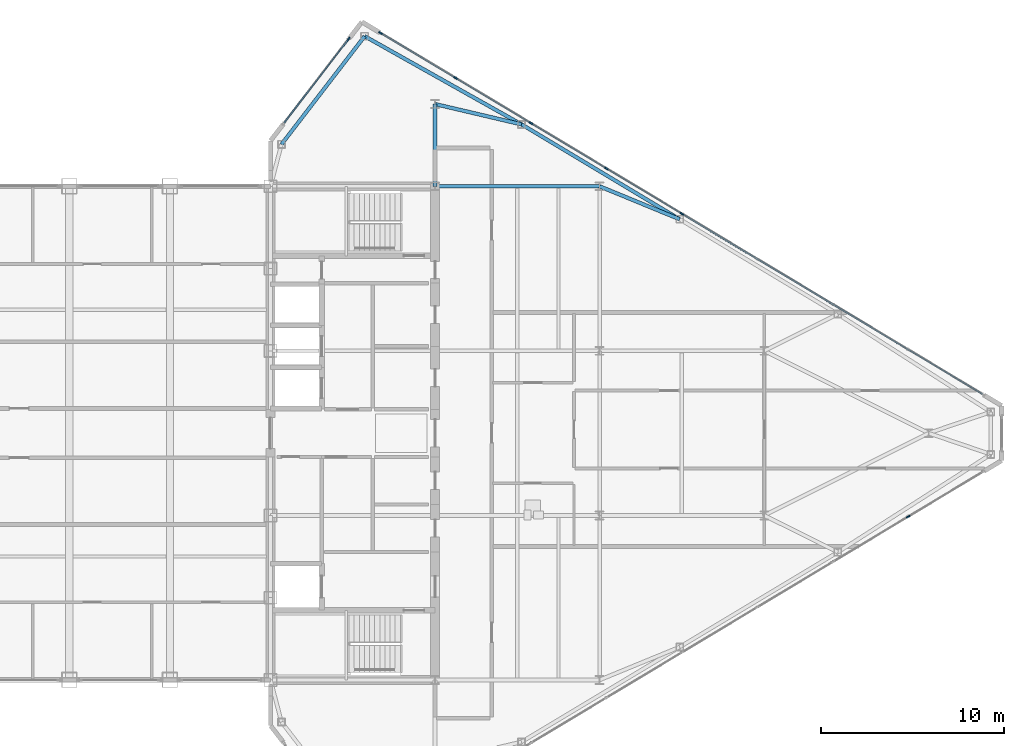
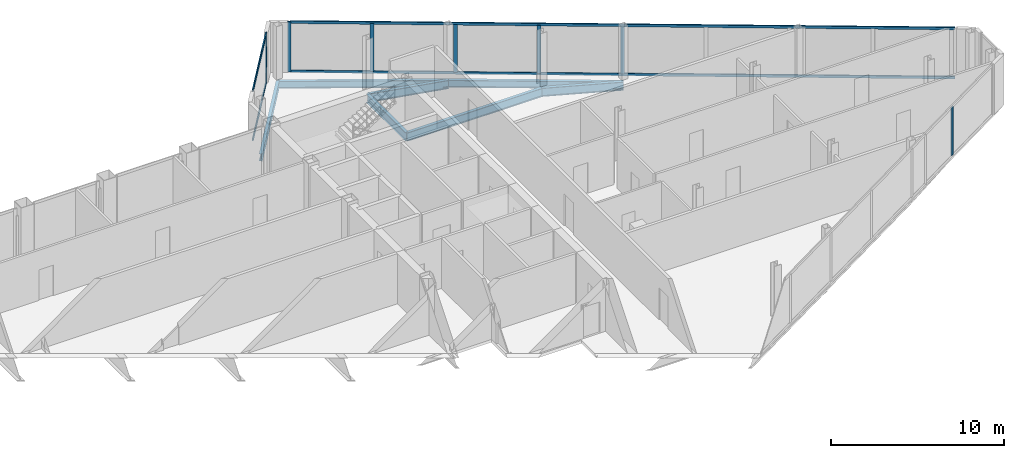
# One storey, part 17 of 29: 11 members, 7 beams, 3 elements without a shape of their own.
"""IFC4 building model written with IfcOpenShell, lengths in metres."""

from ifc_helpers import new_model, si_unit, direction, frame, origin, origin_2d, place, context, subcontext, project, spatial, rectangle, i_section, extrude, source, transform, mapped, material, layer, layer_set, material_profile, profile_set, type_object, type_shapes, element, aggregate, save


model = new_model("IFC4")

# Units and contexts
model_context = context("Model", 3, precision=1e-05, world=origin(), true_north=direction((0.0, 1.0)))
body_context = subcontext(model_context, "Body", "Model", "MODEL_VIEW")
ifc_project = project(units=[si_unit("LENGTHUNIT", "METRE"), si_unit("AREAUNIT", "SQUARE_METRE"), si_unit("VOLUMEUNIT", "CUBIC_METRE"), si_unit("PLANEANGLEUNIT", "RADIAN"), si_unit("MASSUNIT", "GRAM", prefix="KILO")], contexts=[model_context])

# Site, building, storey
site_placement = place(None, origin())
site = spatial("IfcSite", under=ifc_project, at=site_placement, CompositionType="ELEMENT")
building_placement = place(site_placement, origin())
building = spatial("IfcBuilding", under=site, at=building_placement, Name="Seokmaru Belvedere", CompositionType="ELEMENT")
storey_placement = place(building_placement, frame((0.0, 0.0, 243.14990234375)))
storey = spatial("IfcBuildingStorey", under=building, at=storey_placement, Name="L64", CompositionType="ELEMENT", Elevation=243.14990234375)

# Beams
ifc_material_1 = material(Name="Steel SM355 (355 MPa)", Category="steel")
ifc_material_profile_1 = material_profile(ifc_material_1, i_section(OverallWidth=0.199951171875, OverallDepth=0.60009765625, WebThickness=0.010986328125, FlangeThickness=0.01708984375, at=origin_2d()), Name="H-600x200x11x17")
ifc_profile_set_1 = profile_set([ifc_material_profile_1], Name="Steel SM355 (355 MPa)")
beam_type_1 = type_object("IfcBeamType", Name="Primary Floor Girder H-600", PredefinedType="BEAM", material=ifc_profile_set_1)
shared_shape_1 = source(origin(), body_context, "Body", "SweptSolid", [
    extrude(i_section(OverallWidth=0.199951171875, OverallDepth=0.60009765625, WebThickness=0.010986328125, FlangeThickness=0.01708984375, at=origin_2d()), origin(), (0.0, 0.0, 1.0), 9.0),
])
beam_1_placement = place(storey_placement, frame((36.5, 13.5, -0.52001953125), z_axis=(1.0, 0.0, 0.0), x_axis=(0.0, 1.0, 0.0)))
element("IfcBeam", 1, at=beam_1_placement, inside=storey, type_object=beam_type_1, Name="L64 E Wing Primary Girder 4", PredefinedType="BEAM", context=body_context, shape_type="MappedRepresentation", body=[
    mapped(shared_shape_1, transform((0.0, 0.0, 0.0), scale=1.0)),
])
shared_shape_2 = source(origin(), body_context, "Body", "SweptSolid", [
    extrude(i_section(OverallWidth=0.199951171875, OverallDepth=0.60009765625, WebThickness=0.010986328125, FlangeThickness=0.01708984375, at=origin_2d()), origin(), (0.0, 0.0, 1.0), 4.5),
])
beam_2_placement = place(storey_placement, frame((36.5, 13.5, -0.52001953125), z_axis=(0.0, 1.0, 0.0), x_axis=(-1.0, 0.0, 0.0)))
element("IfcBeam", 2, at=beam_2_placement, inside=storey, type_object=beam_type_1, Name="L64 E Core Shoulder Girder N", PredefinedType="BEAM", context=body_context, shape_type="MappedRepresentation", body=[
    mapped(shared_shape_2, transform((0.0, 0.0, 0.0), scale=1.0)),
])
ifc_material_profile_2 = material_profile(ifc_material_1, i_section(OverallWidth=0.199951171875, OverallDepth=0.5, WebThickness=0.010009765625, FlangeThickness=0.01611328125, at=origin_2d()), Name="H-500x200x10x16")
ifc_profile_set_2 = profile_set([ifc_material_profile_2], Name="Steel SM355 (355 MPa)")
beam_type_2 = type_object("IfcBeamType", Name="Perimeter Spandrel Beam H-500", PredefinedType="SPANDREL", material=ifc_profile_set_2)
shared_shape_3 = source(origin(), body_context, "Body", "SweptSolid", [
    extrude(i_section(OverallWidth=0.199951171875, OverallDepth=0.5, WebThickness=0.010009765625, FlangeThickness=0.01611328125, at=origin_2d()), origin(), (0.0, 0.0, 1.0), 9.842041015625),
])
beam_3_placement = place(storey_placement, frame((32.649658203125, 21.71044921875, -0.469970703125), z_axis=(0.871782151818, -0.489893743349, 0.0), x_axis=(0.489893743349, 0.871782151818, 0.0)))
element("IfcBeam", 3, at=beam_3_placement, inside=storey, type_object=beam_type_2, Name="L64 E Faceted Flank Spandrel N-1", PredefinedType="SPANDREL", context=body_context, shape_type="MappedRepresentation", body=[
    mapped(shared_shape_3, transform((0.0, 0.0, 0.0), scale=1.0)),
])
shared_shape_4 = source(origin(), body_context, "Body", "SweptSolid", [
    extrude(i_section(OverallWidth=0.199951171875, OverallDepth=0.5, WebThickness=0.010009765625, FlangeThickness=0.01611328125, at=origin_2d()), origin(), (0.0, 0.0, 1.0), 10.087646484375),
])
beam_4_placement = place(storey_placement, frame((41.229736328125, 16.888916015625, -0.469970703125), z_axis=(0.857499332045, -0.514485078056, 0.0), x_axis=(0.514485078056, 0.857499332045, 0.0)))
element("IfcBeam", 4, at=beam_4_placement, inside=storey, type_object=beam_type_2, Name="L64 E Faceted Flank Spandrel N-2", PredefinedType="SPANDREL", context=body_context, shape_type="MappedRepresentation", body=[
    mapped(shared_shape_4, transform((0.0, 0.0, 0.0), scale=1.0)),
])
shared_shape_5 = source(origin(), body_context, "Body", "SweptSolid", [
    extrude(i_section(OverallWidth=0.199951171875, OverallDepth=0.5, WebThickness=0.010009765625, FlangeThickness=0.01611328125, at=origin_2d()), origin(), (0.0, 0.0, 1.0), 7.4619140625),
])
type_shapes(beam_type_2, [shared_shape_3, shared_shape_4, shared_shape_5])
beam_5_placement = place(storey_placement, frame((32.649658203125, 21.71044921875, -0.469970703125), z_axis=(-0.609702854945, -0.792630070507, 0.0), x_axis=(0.792630070507, -0.609702854945, 0.0)))
element("IfcBeam", 5, at=beam_5_placement, inside=storey, type_object=beam_type_2, Name="L64 E Shoulder Chamfer Spandrel N", PredefinedType="SPANDREL", context=body_context, shape_type="MappedRepresentation", body=[
    mapped(shared_shape_5, transform((0.0, 0.0, 0.0), scale=1.0)),
])
shared_shape_6 = source(origin(), body_context, "Body", "SweptSolid", [
    extrude(i_section(OverallWidth=0.199951171875, OverallDepth=0.60009765625, WebThickness=0.010986328125, FlangeThickness=0.01708984375, at=origin_2d()), origin(), (0.0, 0.0, 1.0), 4.8583984375),
])
beam_6_placement = place(storey_placement, frame((41.229736328125, 16.888916015625, -0.52001953125), z_axis=(-0.97349948295, 0.228689214211, 0.0), x_axis=(-0.228689214211, -0.97349948295, 0.0)))
element("IfcBeam", 6, at=beam_6_placement, inside=storey, type_object=beam_type_1, Name="L64 E Flank Radial Floor Girder N-1", PredefinedType="BEAM", context=body_context, shape_type="MappedRepresentation", body=[
    mapped(shared_shape_6, transform((0.0, 0.0, 0.0), scale=1.0)),
])
shared_shape_7 = source(origin(), body_context, "Body", "SweptSolid", [
    extrude(i_section(OverallWidth=0.199951171875, OverallDepth=0.60009765625, WebThickness=0.010986328125, FlangeThickness=0.01708984375, at=origin_2d()), origin(), (0.0, 0.0, 1.0), 4.73583984375),
])
type_shapes(beam_type_1, [shared_shape_1, shared_shape_2, shared_shape_6, shared_shape_7])
beam_7_placement = place(storey_placement, frame((49.8798828125, 11.698974609375, -0.52001953125), z_axis=(-0.924860562953, 0.380306375301, 0.0), x_axis=(-0.380306375301, -0.924860562953, 0.0)))
element("IfcBeam", 7, at=beam_7_placement, inside=storey, type_object=beam_type_1, Name="L64 E Flank Radial Floor Girder N-2", PredefinedType="BEAM", context=body_context, shape_type="MappedRepresentation", body=[
    mapped(shared_shape_7, transform((0.0, 0.0, 0.0), scale=1.0)),
])

# Curtain wall, members
ifc_material_2 = material(Name="Bronze Triple Insulating Glass", Category="glass")
ifc_layer = layer(ifc_material_2, 0.219970703125)
ifc_layer_set = layer_set([ifc_layer], Name="Bronze Triple Insulating Glass")
curtain_wall_type = type_object("IfcCurtainWallType", Name="Sky-Gate Bridge Panorama Curtain Wall System CW-6", PredefinedType="NOTDEFINED", material=ifc_layer_set)
curtain_wall_1_placement = place(storey_placement, origin())
curtain_wall_1 = element("IfcCurtainWall", 8, at=curtain_wall_1_placement, inside=storey, type_object=curtain_wall_type, Name="L64 Curtain Wall EF4", PredefinedType="NOTDEFINED")
ifc_material_3 = material(Name="Anodised Bronze Aluminium", Category="aluminium")
ifc_material_profile_3 = material_profile(ifc_material_3, rectangle(XDim=0.074951171875, YDim=0.179931640625, at=origin_2d()), Name="CW-T-75x180")
ifc_profile_set_3 = profile_set([ifc_material_profile_3], Name="Anodised Bronze Aluminium")
member_type_1 = type_object("IfcMemberType", Name="Bronze Unitised Transom 75x180", PredefinedType="USERDEFINED", material=ifc_profile_set_3)
shared_shape_8 = source(origin(), body_context, "Body", "SweptSolid", [
    extrude(rectangle(XDim=0.074951171875, YDim=0.179931640625, at=origin_2d()), origin(), (0.0, 0.0, 1.0), 5.74072265625),
])
member_1_placement = place(storey_placement, frame((31.75, 21.525146484375, 0.03759765625), z_axis=(-0.609686097287, -0.792642960465, 0.0), x_axis=(0.792642960465, -0.609686097287, 0.0)))
member_1 = element("IfcMember", 9, at=member_1_placement, type_object=member_type_1, Name="CW:L64:EF4 Continuous Transom 1", ObjectType="TRANSOM", PredefinedType="USERDEFINED", context=body_context, shape_type="MappedRepresentation", body=[
    mapped(shared_shape_8, transform((0.0, 0.0, 0.0), scale=1.0)),
])
member_2_placement = place(storey_placement, frame((31.75, 21.525146484375, 3.49267578125), z_axis=(-0.609686097287, -0.792642960465, 0.0), x_axis=(0.792642960465, -0.609686097287, 0.0)))
member_2 = element("IfcMember", 10, at=member_2_placement, type_object=member_type_1, Name="CW:L64:EF4 Continuous Transom 2", ObjectType="TRANSOM", PredefinedType="USERDEFINED", context=body_context, shape_type="MappedRepresentation", body=[
    mapped(shared_shape_8, transform((0.0, 0.0, 0.0), scale=1.0)),
])

curtain_wall_2_placement = place(storey_placement, origin())
curtain_wall_2 = element("IfcCurtainWall", 11, at=curtain_wall_2_placement, inside=storey, type_object=curtain_wall_type, Name="L64 Curtain Wall EF3", PredefinedType="NOTDEFINED")
shared_shape_9 = source(origin(), body_context, "Body", "SweptSolid", [
    extrude(rectangle(XDim=0.074951171875, YDim=0.179931640625, at=origin_2d()), origin(), (0.0, 0.0, 1.0), 38.356689453125),
])
type_shapes(member_type_1, [shared_shape_8, shared_shape_9])
member_3_placement = place(storey_placement, frame((66.4453125, 2.1328125, 0.03759765625), z_axis=(-0.857492925713, 0.514495755428, 0.0), x_axis=(-0.514495755428, -0.857492925713, 0.0)))
member_3 = element("IfcMember", 12, at=member_3_placement, type_object=member_type_1, Name="CW:L64:EF3 Continuous Transom 1", ObjectType="TRANSOM", PredefinedType="USERDEFINED", context=body_context, shape_type="MappedRepresentation", body=[
    mapped(shared_shape_9, transform((0.0, 0.0, 0.0), scale=1.0)),
])
member_4_placement = place(storey_placement, frame((66.4453125, 2.1328125, 3.49267578125), z_axis=(-0.857492925713, 0.514495755428, 0.0), x_axis=(-0.514495755428, -0.857492925713, 0.0)))
member_4 = element("IfcMember", 13, at=member_4_placement, type_object=member_type_1, Name="CW:L64:EF3 Continuous Transom 2", ObjectType="TRANSOM", PredefinedType="USERDEFINED", context=body_context, shape_type="MappedRepresentation", body=[
    mapped(shared_shape_9, transform((0.0, 0.0, 0.0), scale=1.0)),
])
ifc_material_profile_4 = material_profile(ifc_material_3, rectangle(XDim=0.080078125, YDim=0.219970703125, at=origin_2d()), Name="CW-M-80x220")
ifc_profile_set_4 = profile_set([ifc_material_profile_4], Name="Anodised Bronze Aluminium")
member_type_2 = type_object("IfcMemberType", Name="Bronze Unitised Mullion 80x220", PredefinedType="MULLION", material=ifc_profile_set_4)
shared_shape_10 = source(origin(), body_context, "Body", "SweptSolid", [
    extrude(rectangle(XDim=0.080078125, YDim=0.219970703125, at=origin_2d()), origin(), (0.0, 0.0, 1.0), 3.530029296875),
])
member_5_placement = place(storey_placement, frame((33.5205078125, 21.8876953125, 0.0), z_axis=(0.0, 0.0, 1.0), x_axis=(-0.514494909364, -0.85749343335, 0.0)))
member_5 = element("IfcMember", 14, at=member_5_placement, type_object=member_type_2, Name="CW:L64:EF3 Mullion 9", PredefinedType="MULLION", context=body_context, shape_type="MappedRepresentation", body=[
    mapped(shared_shape_10, transform((0.0, 0.0, 0.0), scale=1.0)),
])

# Member
member_6_placement = place(storey_placement, frame((31.7744140625, 21.556884765625, 0.0), z_axis=(0.0, 0.0, 1.0), x_axis=(0.792631353244, -0.609701187349, 0.0)))
member_6 = element("IfcMember", 15, at=member_6_placement, type_object=member_type_2, Name="CW:L64:EF4 Mullion 1", PredefinedType="MULLION", context=body_context, shape_type="MappedRepresentation", body=[
    mapped(shared_shape_10, transform((0.0, 0.0, 0.0), scale=1.0)),
])

aggregate(curtain_wall_1, [member_6, member_1, member_2])

# Curtain wall, member
curtain_wall_3_placement = place(storey_placement, origin())
curtain_wall_3 = element("IfcCurtainWall", 16, at=curtain_wall_3_placement, inside=storey, type_object=curtain_wall_type, Name="L64 Curtain Wall EF1", PredefinedType="NOTDEFINED")
shared_shape_11 = source(origin(), body_context, "Body", "SweptSolid", [
    extrude(rectangle(XDim=0.080078125, YDim=0.219970703125, at=origin_2d()), origin(), (0.0, 0.0, 1.0), 3.3798828125),
])
type_shapes(member_type_2, [shared_shape_10, shared_shape_11])
member_7_placement = place(storey_placement, frame((62.385498046875, -4.56884765625, 0.0751953125), z_axis=(0.0, 0.0, 1.0), x_axis=(-0.514494909364, 0.85749343335, 0.0)))
member_7 = element("IfcMember", 17, at=member_7_placement, type_object=member_type_2, Name="CW:L64:EF1 Mullion 8", PredefinedType="MULLION", context=body_context, shape_type="MappedRepresentation", body=[
    mapped(shared_shape_11, transform((0.0, 0.0, 0.0), scale=1.0)),
])
aggregate(curtain_wall_3, [member_7])

# Member
member_8_placement = place(storey_placement, frame((50.0, 12.0, 0.0751953125), z_axis=(0.0, 0.0, 1.0), x_axis=(-0.514494909364, -0.85749343335, 0.0)))
member_8 = element("IfcMember", 18, at=member_8_placement, type_object=member_type_2, Name="CW:L64:EF3 Mullion 5", PredefinedType="MULLION", context=body_context, shape_type="MappedRepresentation", body=[
    mapped(shared_shape_11, transform((0.0, 0.0, 0.0), scale=1.0)),
])

member_9_placement = place(storey_placement, frame((45.87158203125, 14.47705078125, 0.0751953125), z_axis=(0.0, 0.0, 1.0), x_axis=(-0.514494909364, -0.85749343335, 0.0)))
member_9 = element("IfcMember", 19, at=member_9_placement, type_object=member_type_2, Name="CW:L64:EF3 Mullion 6", PredefinedType="MULLION", context=body_context, shape_type="MappedRepresentation", body=[
    mapped(shared_shape_11, transform((0.0, 0.0, 0.0), scale=1.0)),
])

member_10_placement = place(storey_placement, frame((41.742919921875, 16.9541015625, 0.0751953125), z_axis=(0.0, 0.0, 1.0), x_axis=(-0.514494909364, -0.85749343335, 0.0)))
member_10 = element("IfcMember", 20, at=member_10_placement, type_object=member_type_2, Name="CW:L64:EF3 Mullion 7", PredefinedType="MULLION", context=body_context, shape_type="MappedRepresentation", body=[
    mapped(shared_shape_11, transform((0.0, 0.0, 0.0), scale=1.0)),
])

member_11_placement = place(storey_placement, frame((37.614501953125, 19.43115234375, 0.0751953125), z_axis=(0.0, 0.0, 1.0), x_axis=(-0.514494909364, -0.85749343335, 0.0)))
member_11 = element("IfcMember", 21, at=member_11_placement, type_object=member_type_2, Name="CW:L64:EF3 Mullion 8", PredefinedType="MULLION", context=body_context, shape_type="MappedRepresentation", body=[
    mapped(shared_shape_11, transform((0.0, 0.0, 0.0), scale=1.0)),
])

aggregate(curtain_wall_2, [member_8, member_9, member_10, member_11, member_5, member_3, member_4])

save(model, "model.ifc")
